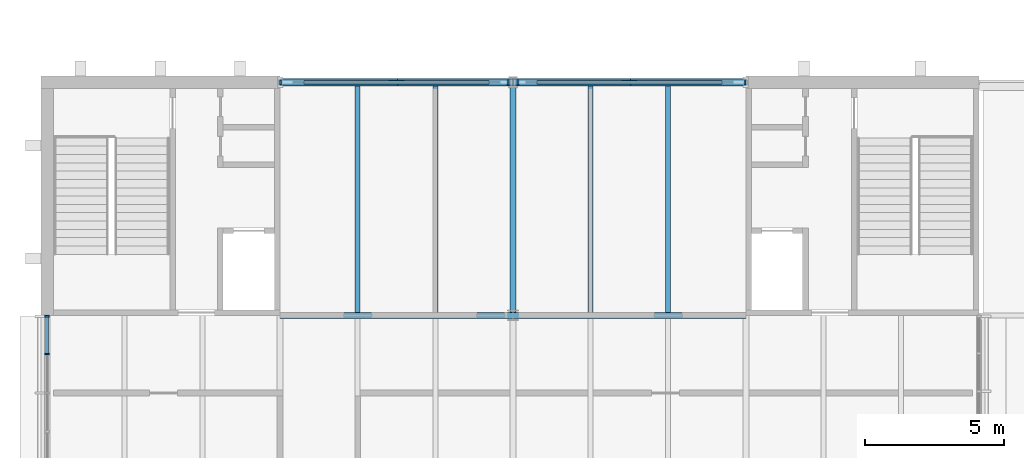
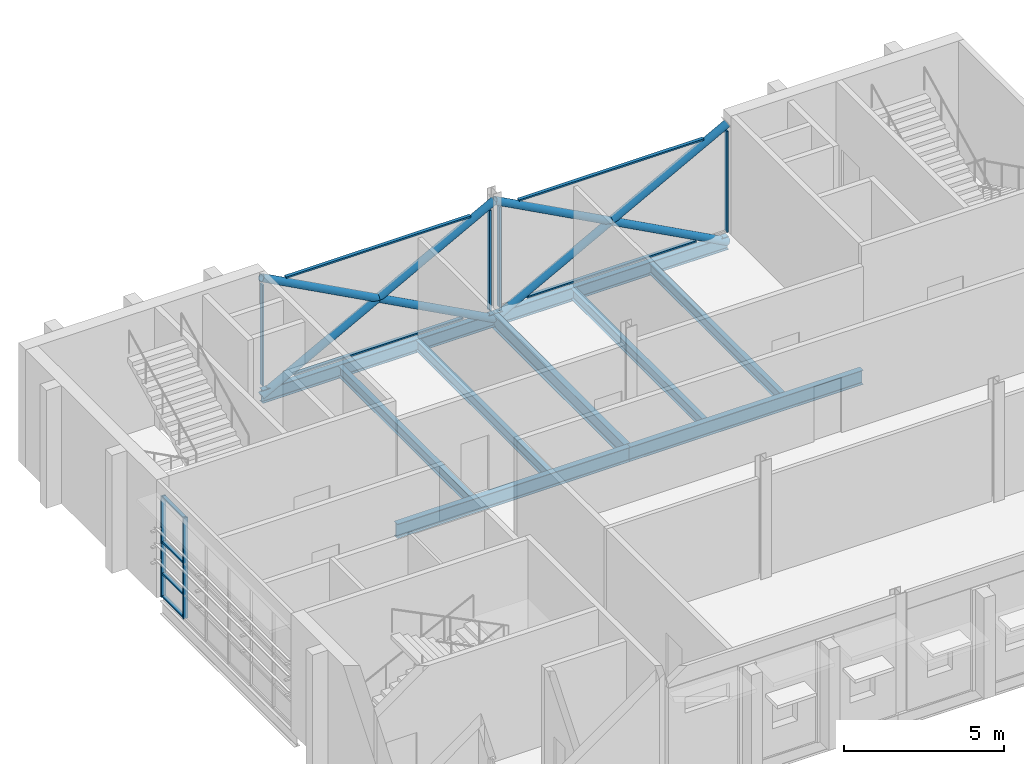
# One storey, part 5 of 29: 20 members, 9 beams, 3 elements without a shape of their own.
"""IFC4 building model written with IfcOpenShell, lengths in metres."""

from ifc_helpers import new_model, si_unit, direction, frame, origin, origin_2d, place, context, subcontext, project, spatial, rectangle, hollow_circle, i_section, extrude, material, layer, layer_set, material_profile, profile_set, type_object, element, aggregate, save


model = new_model("IFC4")

# Units and contexts
model_context = context("Model", 3, precision=1e-05, world=origin(), true_north=direction((0.0, 1.0)))
body_context = subcontext(model_context, "Body", "Model", "MODEL_VIEW")
ifc_project = project(units=[si_unit("LENGTHUNIT", "METRE"), si_unit("AREAUNIT", "SQUARE_METRE"), si_unit("VOLUMEUNIT", "CUBIC_METRE"), si_unit("PLANEANGLEUNIT", "RADIAN"), si_unit("MASSUNIT", "GRAM", prefix="KILO")], contexts=[model_context])

# Site, building, storey
site_placement = place(None, origin())
site = spatial("IfcSite", under=ifc_project, at=site_placement, CompositionType="ELEMENT")
building_placement = place(site_placement, origin())
building = spatial("IfcBuilding", under=site, at=building_placement, Name="Ardhachandra Cancer Care Centre", CompositionType="ELEMENT")
storey_placement = place(building_placement, frame((0.0, 0.0, 13.5)))
storey = spatial("IfcBuildingStorey", under=building, at=storey_placement, Name="L03", CompositionType="ELEMENT", Elevation=13.5)

# Beams
ifc_material_1 = material(Name="Steel E350 (IS 2062)", Category="steel")
ifc_material_profile_1 = material_profile(ifc_material_1, i_section(OverallWidth=0.179931640625, OverallDepth=0.39990234375, WebThickness=0.008544921875, FlangeThickness=0.013427734375, FilletRadius=0.02099609375, at=origin_2d()), Name="NPB 400x180x66.30")
ifc_profile_set_1 = profile_set([ifc_material_profile_1], Name="Steel E350 (IS 2062)")
beam_type_1 = type_object("IfcBeamType", Name="Beam NPB 400x180x66.30", PredefinedType="BEAM", material=ifc_profile_set_1)
for number, where, z_axis, x_axis, name in (
    (1, (22.0, 88.304931640625, -0.35009765625), (0.0, 1.0, 0.0), (-1.0, 0.0, 0.0), "Secondary K2-L2@2800"),
    (2, (24.800048828125, 88.304931640625, -0.35009765625), (0.0, 1.0, 0.0), (-1.0, 0.0, 0.0), "Secondary K2-L2@5600"),
    (3, (30.39990234375, 88.304931640625, -0.35009765625), (0.0, 1.0, 0.0), (-1.0, 0.0, 0.0), "Secondary K3-L3@2800"),
    (4, (33.199951171875, 88.304931640625, -0.35009765625), (0.0, 1.0, 0.0), (-1.0, 0.0, 0.0), "Secondary K3-L3@5600"),
):
    element("IfcBeam", number, at=place(storey_placement, frame(where, z_axis=z_axis, x_axis=x_axis)), inside=storey, type_object=beam_type_1, Name=name, PredefinedType="BEAM", context=body_context, shape_type="SweptSolid", body=[
        extrude(i_section(OverallWidth=0.179931640625, OverallDepth=0.39990234375, WebThickness=0.008544921875, FlangeThickness=0.013427734375, FilletRadius=0.02099609375, at=origin_2d()), origin(), (0.0, 0.0, 1.0), 8.195068359375),
    ])
ifc_material_2 = material(Name="Steel E350 (IS 2062)", Category="steel")
ifc_material_profile_2 = material_profile(ifc_material_2, i_section(OverallWidth=0.199951171875, OverallDepth=0.5, WebThickness=0.01025390625, FlangeThickness=0.01611328125, FilletRadius=0.02099609375, at=origin_2d()), Name="NPB 500x200x90.68")
ifc_profile_set_2 = profile_set([ifc_material_profile_2], Name="Steel E350 (IS 2062)")
beam_type_2 = type_object("IfcBeamType", Name="Beam NPB 500x200x90.68", PredefinedType="BEAM", material=ifc_profile_set_2)
beam_1_placement = place(storey_placement, frame((19.199951171875, 96.60009765625, -0.39990234375), z_axis=(1.0, 0.0, 0.0), x_axis=(0.0, 1.0, 0.0)))
element("IfcBeam", 5, at=beam_1_placement, inside=storey, type_object=beam_type_2, Name="Edge girder L2-L3", PredefinedType="BEAM", context=body_context, shape_type="SweptSolid", body=[
    extrude(i_section(OverallWidth=0.199951171875, OverallDepth=0.5, WebThickness=0.01025390625, FlangeThickness=0.01611328125, FilletRadius=0.02099609375, at=origin_2d()), origin(), (0.0, 0.0, 1.0), 8.400146484375),
])
beam_2_placement = place(storey_placement, frame((27.60009765625, 96.60009765625, -0.39990234375), z_axis=(1.0, 0.0, 0.0), x_axis=(0.0, 1.0, 0.0)))
element("IfcBeam", 6, at=beam_2_placement, inside=storey, type_object=beam_type_2, Name="Edge girder L3-L4", PredefinedType="BEAM", context=body_context, shape_type="SweptSolid", body=[
    extrude(i_section(OverallWidth=0.199951171875, OverallDepth=0.5, WebThickness=0.01025390625, FlangeThickness=0.01611328125, FilletRadius=0.02099609375, at=origin_2d()), origin(), (0.0, 0.0, 1.0), 8.39990234375),
])
ifc_material_3 = material(Name="Steel E350 (IS 2062)", Category="steel")
ifc_material_profile_3 = material_profile(ifc_material_3, i_section(OverallWidth=0.2099609375, OverallDepth=0.550048828125, WebThickness=0.010986328125, FlangeThickness=0.01708984375, FilletRadius=0.02392578125, at=origin_2d()), Name="NPB 550x210x105.52")
ifc_profile_set_3 = profile_set([ifc_material_profile_3], Name="Steel E350 (IS 2062)")
beam_type_3 = type_object("IfcBeamType", Name="Beam NPB 550x210x105.52", PredefinedType="BEAM", material=ifc_profile_set_3)
beam_3_placement = place(storey_placement, frame((19.199951171875, 88.199951171875, -0.425048828125), z_axis=(1.0, 0.0, 0.0), x_axis=(0.0, 1.0, 0.0)))
element("IfcBeam", 7, at=beam_3_placement, inside=storey, type_object=beam_type_3, Name="Girder K2-K3", PredefinedType="BEAM", context=body_context, shape_type="SweptSolid", body=[
    extrude(i_section(OverallWidth=0.2099609375, OverallDepth=0.550048828125, WebThickness=0.010986328125, FlangeThickness=0.01708984375, FilletRadius=0.02392578125, at=origin_2d()), origin(), (0.0, 0.0, 1.0), 8.400146484375),
])
beam_4_placement = place(storey_placement, frame((27.60009765625, 88.199951171875, -0.425048828125), z_axis=(1.0, 0.0, 0.0), x_axis=(0.0, 1.0, 0.0)))
element("IfcBeam", 8, at=beam_4_placement, inside=storey, type_object=beam_type_3, Name="Girder K3-K4", PredefinedType="BEAM", context=body_context, shape_type="SweptSolid", body=[
    extrude(i_section(OverallWidth=0.2099609375, OverallDepth=0.550048828125, WebThickness=0.010986328125, FlangeThickness=0.01708984375, FilletRadius=0.02392578125, at=origin_2d()), origin(), (0.0, 0.0, 1.0), 8.39990234375),
])
beam_5_placement = place(storey_placement, frame((27.60009765625, 88.199951171875, -0.425048828125), z_axis=(0.0, 1.0, 0.0), x_axis=(-1.0, 0.0, 0.0)))
element("IfcBeam", 9, at=beam_5_placement, inside=storey, type_object=beam_type_3, Name="Girder K3-L3", PredefinedType="BEAM", context=body_context, shape_type="SweptSolid", body=[
    extrude(i_section(OverallWidth=0.2099609375, OverallDepth=0.550048828125, WebThickness=0.010986328125, FlangeThickness=0.01708984375, FilletRadius=0.02392578125, at=origin_2d()), origin(), (0.0, 0.0, 1.0), 8.400146484375),
])

# Members
ifc_material_4 = material(Name="Steel E350 (IS 2062)", Category="steel")
ifc_material_profile_4 = material_profile(ifc_material_4, hollow_circle(Radius=0.136474609375, WallThickness=0.010009765625, at=origin_2d()), Name="CHS 273x10.0")
ifc_profile_set_4 = profile_set([ifc_material_profile_4], Name="Steel E350 (IS 2062)")
member_type_1 = type_object("IfcMemberType", Name="Brace CHS 273x10.0", PredefinedType="BRACE", material=ifc_profile_set_4)
member_1_placement = place(storey_placement, frame((19.199951171875, 96.60009765625, -0.39990234375), z_axis=(0.881483397762, 0.0, 0.472215014025), x_axis=(0.0, 1.0, 0.0)))
element("IfcMember", 10, at=member_1_placement, inside=storey, type_object=member_type_1, Name="Brace V6-X966-192 L03 A", PredefinedType="BRACE", context=body_context, shape_type="SweptSolid", body=[
    extrude(hollow_circle(Radius=0.136474609375, WallThickness=0.010009765625, at=origin_2d()), origin(), (0.0, 0.0, 1.0), 9.529541015625),
])
member_2_placement = place(storey_placement, frame((27.60009765625, 96.60009765625, -0.39990234375), z_axis=(-0.881489110341, 0.0, 0.472204350203), x_axis=(0.0, -1.0, 0.0)))
element("IfcMember", 11, at=member_2_placement, inside=storey, type_object=member_type_1, Name="Brace V6-X966-192 L03 B1", PredefinedType="BRACE", context=body_context, shape_type="SweptSolid", body=[
    extrude(hollow_circle(Radius=0.136474609375, WallThickness=0.010009765625, at=origin_2d()), origin(), (0.0, 0.0, 1.0), 4.764892578125),
])
member_3_placement = place(storey_placement, frame((23.39990234375, 96.60009765625, 1.85009765625), z_axis=(-0.881477684796, 0.0, 0.472225678258), x_axis=(0.0, -1.0, 0.0)))
element("IfcMember", 12, at=member_3_placement, inside=storey, type_object=member_type_1, Name="Brace V6-X966-192 L03 B2", PredefinedType="BRACE", context=body_context, shape_type="SweptSolid", body=[
    extrude(hollow_circle(Radius=0.136474609375, WallThickness=0.010009765625, at=origin_2d()), origin(), (0.0, 0.0, 1.0), 4.7646484375),
])
member_4_placement = place(storey_placement, frame((27.60009765625, 96.60009765625, -0.39990234375), z_axis=(0.881477684796, 0.0, 0.472225678258), x_axis=(0.0, 1.0, 0.0)))
element("IfcMember", 13, at=member_4_placement, inside=storey, type_object=member_type_1, Name="Brace V6-X966-276 L03 A", PredefinedType="BRACE", context=body_context, shape_type="SweptSolid", body=[
    extrude(hollow_circle(Radius=0.136474609375, WallThickness=0.010009765625, at=origin_2d()), origin(), (0.0, 0.0, 1.0), 9.529296875),
])
for number, where, z_axis, x_axis, name in (
    (14, (36.0, 96.60009765625, -0.39990234375), (-0.881477684796, 0.0, 0.472225678258), (0.0, -1.0, 0.0), "Brace V6-X966-276 L03 B1"),
    (15, (31.800048828125, 96.60009765625, 1.85009765625), (-0.881477684796, 0.0, 0.472225678258), (0.0, -1.0, 0.0), "Brace V6-X966-276 L03 B2"),
):
    element("IfcMember", number, at=place(storey_placement, frame(where, z_axis=z_axis, x_axis=x_axis)), inside=storey, type_object=member_type_1, Name=name, PredefinedType="BRACE", context=body_context, shape_type="SweptSolid", body=[
        extrude(hollow_circle(Radius=0.136474609375, WallThickness=0.010009765625, at=origin_2d()), origin(), (0.0, 0.0, 1.0), 4.7646484375),
    ])

# Curtain wall, members
ifc_material_5 = material(Name="Aluminium extrusion", Category="aluminium")
ifc_layer = layer(ifc_material_5, 0.14990234375)
ifc_layer_set = layer_set([ifc_layer], Name="Aluminium extrusion")
curtain_wall_type = type_object("IfcCurtainWallType", Name="Curtain wall run", PredefinedType="NOTDEFINED", material=ifc_layer_set)
curtain_wall_1_placement = place(storey_placement, origin())
curtain_wall_1 = element("IfcCurtainWall", 16, at=curtain_wall_1_placement, inside=storey, type_object=curtain_wall_type, Name="Curtain wall L03 n/0019200_0096600", PredefinedType="NOTDEFINED")
ifc_material_6 = material(Name="Aluminium extrusion", Category="aluminium")
ifc_material_profile_5 = material_profile(ifc_material_6, rectangle(XDim=0.159912109375, YDim=0.06005859375, at=origin_2d()), Name="Curtain wall mullion 60 x 160")
ifc_profile_set_5 = profile_set([ifc_material_profile_5], Name="Aluminium extrusion")
member_type_2 = type_object("IfcMemberType", Name="Curtain wall mullion 60 x 160", PredefinedType="MULLION", material=ifc_profile_set_5)
member_5_placement = place(storey_placement, frame((19.22998046875, 96.60009765625, 0.0), z_axis=(0.0, 0.0, 1.0), x_axis=(0.0, 1.0, 0.0)))
member_5 = element("IfcMember", 17, at=member_5_placement, type_object=member_type_2, Name="CW mullion 1", PredefinedType="MULLION", context=body_context, shape_type="SweptSolid", body=[
    extrude(rectangle(XDim=0.159912109375, YDim=0.06005859375, at=origin_2d()), origin(), (0.0, 0.0, 1.0), 3.85009765625),
])
member_6_placement = place(storey_placement, frame((27.419921875, 96.60009765625, 0.0), z_axis=(0.0, 0.0, 1.0), x_axis=(0.0, 1.0, 0.0)))
member_6 = element("IfcMember", 18, at=member_6_placement, type_object=member_type_2, Name="CW mullion 2", PredefinedType="MULLION", context=body_context, shape_type="SweptSolid", body=[
    extrude(rectangle(XDim=0.159912109375, YDim=0.06005859375, at=origin_2d()), origin(), (0.0, 0.0, 1.0), 3.8310546875),
])

curtain_wall_2_placement = place(storey_placement, origin())
curtain_wall_2 = element("IfcCurtainWall", 19, at=curtain_wall_2_placement, inside=storey, type_object=curtain_wall_type, Name="Curtain wall L03 n/0027600_0096600", PredefinedType="NOTDEFINED")
member_7_placement = place(storey_placement, frame((27.780029296875, 96.60009765625, 0.0), z_axis=(0.0, 0.0, 1.0), x_axis=(0.0, 1.0, 0.0)))
member_7 = element("IfcMember", 20, at=member_7_placement, type_object=member_type_2, Name="CW mullion 1", PredefinedType="MULLION", context=body_context, shape_type="SweptSolid", body=[
    extrude(rectangle(XDim=0.159912109375, YDim=0.06005859375, at=origin_2d()), origin(), (0.0, 0.0, 1.0), 3.8310546875),
])
member_8_placement = place(storey_placement, frame((35.969970703125, 96.60009765625, 0.0), z_axis=(0.0, 0.0, 1.0), x_axis=(0.0, 1.0, 0.0)))
member_8 = element("IfcMember", 21, at=member_8_placement, type_object=member_type_2, Name="CW mullion 2", PredefinedType="MULLION", context=body_context, shape_type="SweptSolid", body=[
    extrude(rectangle(XDim=0.159912109375, YDim=0.06005859375, at=origin_2d()), origin(), (0.0, 0.0, 1.0), 3.85009765625),
])

curtain_wall_3_placement = place(storey_placement, origin())
curtain_wall_3 = element("IfcCurtainWall", 22, at=curtain_wall_3_placement, inside=storey, type_object=curtain_wall_type, Name="Curtain wall L03 w/0010800_0079800", PredefinedType="NOTDEFINED")
member_9_placement = place(storey_placement, frame((10.800048828125, 86.800048828125, 0.0), z_axis=(0.0, 0.0, 1.0), x_axis=(-1.0, 0.0, 0.0)))
member_9 = element("IfcMember", 23, at=member_9_placement, type_object=member_type_2, Name="CW mullion 6", PredefinedType="MULLION", context=body_context, shape_type="SweptSolid", body=[
    extrude(rectangle(XDim=0.159912109375, YDim=0.06005859375, at=origin_2d()), origin(), (0.0, 0.0, 1.0), 3.85009765625),
])
member_10_placement = place(storey_placement, frame((10.800048828125, 88.169921875, 0.0), z_axis=(0.0, 0.0, 1.0), x_axis=(-1.0, 0.0, 0.0)))
member_10 = element("IfcMember", 24, at=member_10_placement, type_object=member_type_2, Name="CW mullion 7", PredefinedType="MULLION", context=body_context, shape_type="SweptSolid", body=[
    extrude(rectangle(XDim=0.159912109375, YDim=0.06005859375, at=origin_2d()), origin(), (0.0, 0.0, 1.0), 3.85009765625),
])

# Member
ifc_material_7 = material(Name="Aluminium extrusion", Category="aluminium")
ifc_material_profile_6 = material_profile(ifc_material_7, rectangle(XDim=0.1201171875, YDim=0.06005859375, at=origin_2d()), Name="Curtain wall transom 60 x 120")
ifc_profile_set_6 = profile_set([ifc_material_profile_6], Name="Aluminium extrusion")
member_type_3 = type_object("IfcMemberType", Name="Curtain wall transom 60 x 120", PredefinedType="USERDEFINED", material=ifc_profile_set_6)
member_11_placement = place(storey_placement, frame((20.350830078125, 96.60009765625, 0.030029296875), z_axis=(1.0, 0.0, 0.0), x_axis=(0.0, 1.0, 0.0)))
member_11 = element("IfcMember", 25, at=member_11_placement, type_object=member_type_3, Name="CW transom 1.1", ObjectType="TRANSOM", PredefinedType="USERDEFINED", context=body_context, shape_type="SweptSolid", body=[
    extrude(rectangle(XDim=0.1201171875, YDim=0.06005859375, at=origin_2d()), origin(), (0.0, 0.0, 1.0), 6.099365234375),
])

member_12_placement = place(storey_placement, frame((20.07080078125, 96.60009765625, 3.820068359375), z_axis=(1.0, 0.0, 0.0), x_axis=(0.0, 1.0, 0.0)))
member_12 = element("IfcMember", 26, at=member_12_placement, type_object=member_type_3, Name="CW transom 1.2", ObjectType="TRANSOM", PredefinedType="USERDEFINED", context=body_context, shape_type="SweptSolid", body=[
    extrude(rectangle(XDim=0.1201171875, YDim=0.06005859375, at=origin_2d()), origin(), (0.0, 0.0, 1.0), 6.659423828125),
])

aggregate(curtain_wall_1, [member_5, member_6, member_11, member_12])

member_13_placement = place(storey_placement, frame((28.749755859375, 96.60009765625, 0.030029296875), z_axis=(1.0, 0.0, 0.0), x_axis=(0.0, 1.0, 0.0)))
member_13 = element("IfcMember", 27, at=member_13_placement, type_object=member_type_3, Name="CW transom 1.1", ObjectType="TRANSOM", PredefinedType="USERDEFINED", context=body_context, shape_type="SweptSolid", body=[
    extrude(rectangle(XDim=0.1201171875, YDim=0.06005859375, at=origin_2d()), origin(), (0.0, 0.0, 1.0), 6.100341796875),
])

member_14_placement = place(storey_placement, frame((28.470947265625, 96.60009765625, 3.820068359375), z_axis=(1.0, 0.0, 0.0), x_axis=(0.0, 1.0, 0.0)))
member_14 = element("IfcMember", 28, at=member_14_placement, type_object=member_type_3, Name="CW transom 1.2", ObjectType="TRANSOM", PredefinedType="USERDEFINED", context=body_context, shape_type="SweptSolid", body=[
    extrude(rectangle(XDim=0.1201171875, YDim=0.06005859375, at=origin_2d()), origin(), (0.0, 0.0, 1.0), 6.6591796875),
])

aggregate(curtain_wall_2, [member_7, member_8, member_13, member_14])

member_15_placement = place(storey_placement, frame((10.800048828125, 86.830078125, 0.030029296875), z_axis=(0.0, 1.0, 0.0), x_axis=(-1.0, 0.0, 0.0)))
member_15 = element("IfcMember", 29, at=member_15_placement, type_object=member_type_3, Name="CW transom 6.1", ObjectType="TRANSOM", PredefinedType="USERDEFINED", context=body_context, shape_type="SweptSolid", body=[
    extrude(rectangle(XDim=0.1201171875, YDim=0.06005859375, at=origin_2d()), origin(), (0.0, 0.0, 1.0), 1.309814453125),
])

member_16_placement = place(storey_placement, frame((10.800048828125, 86.830078125, 0.89990234375), z_axis=(0.0, 1.0, 0.0), x_axis=(-1.0, 0.0, 0.0)))
member_16 = element("IfcMember", 30, at=member_16_placement, type_object=member_type_3, Name="CW transom 6.2", ObjectType="TRANSOM", PredefinedType="USERDEFINED", context=body_context, shape_type="SweptSolid", body=[
    extrude(rectangle(XDim=0.1201171875, YDim=0.06005859375, at=origin_2d()), origin(), (0.0, 0.0, 1.0), 1.309814453125),
])

member_17_placement = place(storey_placement, frame((10.800048828125, 86.830078125, 2.10009765625), z_axis=(0.0, 1.0, 0.0), x_axis=(-1.0, 0.0, 0.0)))
member_17 = element("IfcMember", 31, at=member_17_placement, type_object=member_type_3, Name="CW transom 6.3", ObjectType="TRANSOM", PredefinedType="USERDEFINED", context=body_context, shape_type="SweptSolid", body=[
    extrude(rectangle(XDim=0.1201171875, YDim=0.06005859375, at=origin_2d()), origin(), (0.0, 0.0, 1.0), 1.309814453125),
])

member_18_placement = place(storey_placement, frame((10.800048828125, 86.830078125, 3.820068359375), z_axis=(0.0, 1.0, 0.0), x_axis=(-1.0, 0.0, 0.0)))
member_18 = element("IfcMember", 32, at=member_18_placement, type_object=member_type_3, Name="CW transom 6.4", ObjectType="TRANSOM", PredefinedType="USERDEFINED", context=body_context, shape_type="SweptSolid", body=[
    extrude(rectangle(XDim=0.1201171875, YDim=0.06005859375, at=origin_2d()), origin(), (0.0, 0.0, 1.0), 1.309814453125),
])

aggregate(curtain_wall_3, [member_9, member_10, member_15, member_16, member_17, member_18])

save(model, "model.ifc")
